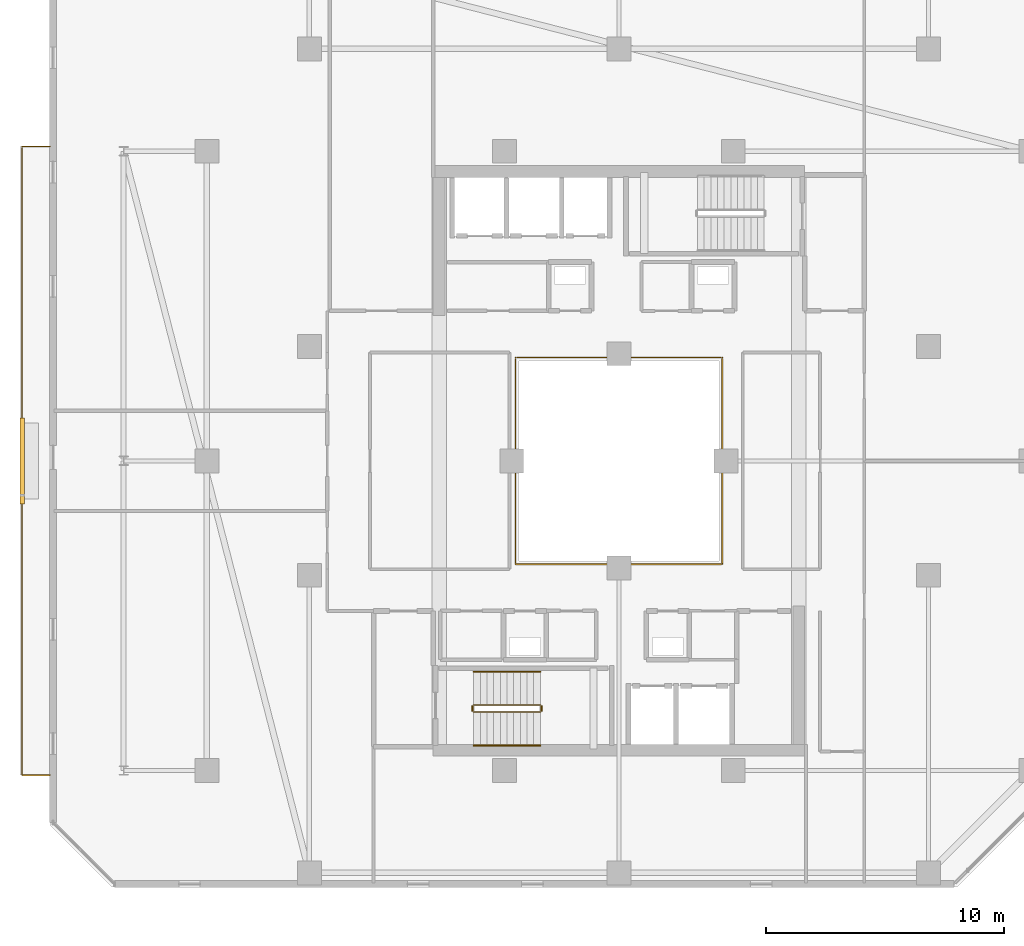
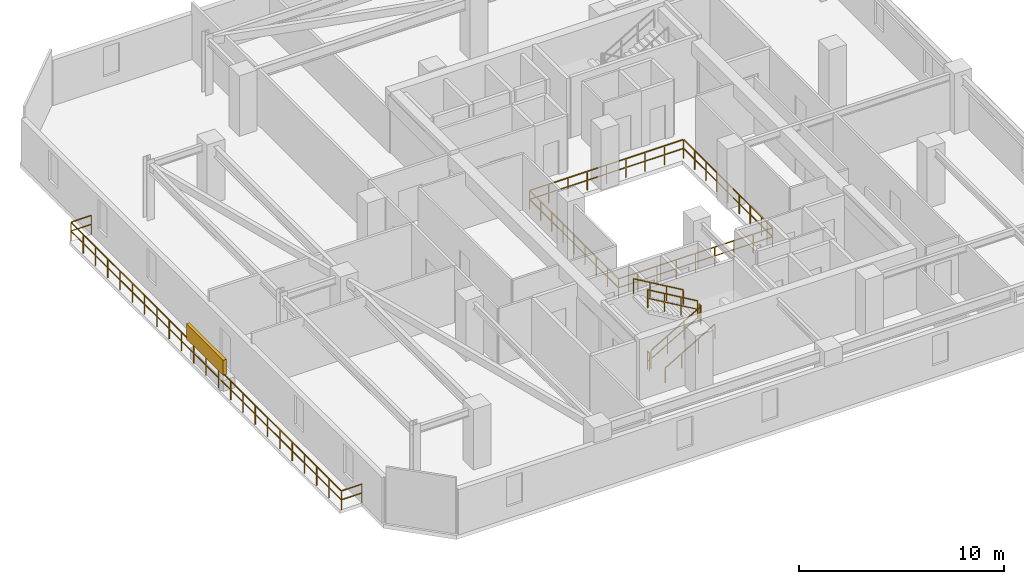
# One storey, part 30 of 33: 8 railings, 1 shading device.
"""IFC4 building model written with IfcOpenShell, lengths in metres."""

import ifcopenshell
import ifcopenshell.guid

model = None  # the IFC model being written
_history = None  # IfcOwnerHistory: only IFC2X3 demands one
_inside = {}  # id of a spatial element -> (the spatial element, [elements in it])
_under = {}  # id of a project, library or spatial element -> (it, [spatial elements below it])
_declared = {}  # id of a project -> (the project, [libraries it declares])
_typed = {}  # id of a type object -> (the type object, [elements of that type])
_made_of = {}  # id of a material, layer set ... -> (it, [elements and type objects made of it])


def new_model(schema):
    """Start an empty IFC model of exactly this schema.

    Asked for "IFC4X3", IfcOpenShell would pick the latest addendum, in which some entities
    have other attributes; the version numbers below select the first issue.
    IFC2X3 requires an IfcOwnerHistory on every rooted entity: one is made here for all.
    """
    global model, _history
    if schema == "IFC4X3":
        model = ifcopenshell.file(schema_version=(4, 3, 0, 0))
    else:
        model = ifcopenshell.file(schema=schema)
    _inside.clear()
    _under.clear()
    _declared.clear()
    _typed.clear()
    _made_of.clear()
    _history = None
    if model.schema == "IFC2X3":
        org = make("IfcOrganization", Name="unknown")
        user = make(
            "IfcPersonAndOrganization",
            ThePerson=make("IfcPerson", FamilyName="unknown"),
            TheOrganization=org,
        )
        app = make(
            "IfcApplication",
            ApplicationDeveloper=org,
            Version="unknown",
            ApplicationFullName="unknown",
            ApplicationIdentifier="unknown",
        )
        _history = make(
            "IfcOwnerHistory",
            OwningUser=user,
            OwningApplication=app,
            ChangeAction="ADDED",
            CreationDate=0,
        )
    return model


def make(cls, **values):
    """One entity of the class cls with the attributes given. An attribute that is None is left unset."""
    return model.create_entity(
        cls, **{name: value for name, value in values.items() if value is not None}
    )


def rooted(cls, **values):
    """An entity with a GlobalId (a new one), such as an element, a storey or a relation."""
    return make(cls, GlobalId=ifcopenshell.guid.new(), OwnerHistory=_history, **values)


def si_unit(unit_type, name, prefix=None):
    """IfcSIUnit, for example si_unit("LENGTHUNIT", "METRE", prefix="MILLI")."""
    return make("IfcSIUnit", UnitType=unit_type, Prefix=prefix, Name=name)


def assignment(units):
    """IfcUnitAssignment: the units of a project."""
    return None if units is None else make("IfcUnitAssignment", Units=units)


def point(xyz):
    """IfcCartesianPoint."""
    return None if xyz is None else make("IfcCartesianPoint", Coordinates=xyz)


def direction(xyz):
    """IfcDirection."""
    return None if xyz is None else make("IfcDirection", DirectionRatios=xyz)


def frame(location, z_axis=None, x_axis=None):
    """IfcAxis2Placement3D, a coordinate frame: its origin and axes. An axis left out is left unset."""
    return make(
        "IfcAxis2Placement3D",
        Location=point(location),
        Axis=direction(z_axis),
        RefDirection=direction(x_axis),
    )


def frame_2d(location, x_axis=None):
    """IfcAxis2Placement2D, a coordinate frame in the plane: its origin and x axis."""
    return make(
        "IfcAxis2Placement2D", Location=point(location), RefDirection=direction(x_axis)
    )


def origin():
    """The frame at (0, 0, 0) with its axes left unset."""
    return frame((0.0, 0.0, 0.0))


def origin_2d():
    """The frame at (0, 0) in the plane with its x axis left unset."""
    return frame_2d((0.0, 0.0))


def place(relative_to, where):
    """IfcLocalPlacement: puts the frame where relative to a parent placement (None: the world)."""
    return make(
        "IfcLocalPlacement", PlacementRelTo=relative_to, RelativePlacement=where
    )


def context(
    kind, dimensions, precision=None, world=None, true_north=None, identifier=None
):
    """IfcGeometricRepresentationContext, for example the 3D "Model" context."""
    return make(
        "IfcGeometricRepresentationContext",
        ContextIdentifier=identifier,
        ContextType=kind,
        CoordinateSpaceDimension=dimensions,
        Precision=precision,
        WorldCoordinateSystem=world,
        TrueNorth=true_north,
    )


def subcontext(parent, identifier, kind, view, scale=None):
    """IfcGeometricRepresentationSubContext, for example "Body" below "Model"."""
    return make(
        "IfcGeometricRepresentationSubContext",
        ContextIdentifier=identifier,
        ContextType=kind,
        ParentContext=parent,
        TargetScale=scale,
        TargetView=view,
    )


def project(units=None, contexts=None):
    """IfcProject with its units and contexts."""
    return rooted(
        "IfcProject",
        Name="project",
        RepresentationContexts=contexts,
        UnitsInContext=assignment(units),
    )


def spatial(cls, under=None, at=None, **own):
    """A site, building, storey or space (cls), placed at a placement, below another one or the project."""
    s = rooted(cls, ObjectPlacement=at, **own)
    if under is not None:
        _under.setdefault(under.id(), (under, []))[1].append(s)
    return s


def profile(cls, at=None, kind="AREA", **sizes):
    """A parametric profile (cls). Its sizes go by their IFC names, for example OverallWidth=200.0."""
    return make(cls, ProfileType=kind, Position=at, **sizes)


def rectangle(**sizes):
    """IfcRectangleProfileDef."""
    return profile("IfcRectangleProfileDef", **sizes)


def extrude(swept, where, along, depth):
    """IfcExtrudedAreaSolid: the profile swept, set in the frame where, extruded along a direction by depth."""
    return make(
        "IfcExtrudedAreaSolid",
        SweptArea=swept,
        Position=where,
        ExtrudedDirection=direction(along),
        Depth=depth,
    )


def shape(context_of_items, identifier, shape_type, items):
    """IfcShapeRepresentation: the items that make up one representation, for example the "Body"."""
    return make(
        "IfcShapeRepresentation",
        ContextOfItems=context_of_items,
        RepresentationIdentifier=identifier,
        RepresentationType=shape_type,
        Items=items,
    )


def material(Name=None, Category=None):
    """IfcMaterial."""
    return make("IfcMaterial", Name=Name, Category=Category)


def made_of(thing, what):
    """Note that an element or type object is made of a material, layer set ...; save() writes the relation."""
    if what is not None:
        _made_of.setdefault(what.id(), (what, []))[1].append(thing)
    return thing


def type_object(cls, material=None, **own):
    """A type object (cls), such as IfcWallType, which elements share."""
    return made_of(rooted(cls, **own), material)


def element(
    cls,
    number,
    at=None,
    inside=None,
    cuts=None,
    type_object=None,
    material=None,
    context=None,
    identifier="Body",
    shape_type=None,
    held_by="IfcProductDefinitionShape",
    body=None,
    shapes=None,
    **own,
):
    """One element of the class cls, such as IfcWall. Its Tag is "e" and its number.

    at: its placement. inside: the storey or other place that contains it. cuts: it is an
    opening in that element (IfcRelVoidsElement). A single representation is given by context,
    identifier, shape_type and body (its items); several are given by shapes. held_by: the class
    of the entity that holds the representations. save() writes the other relations.
    """
    e = rooted(cls, Tag="e%d" % number, ObjectPlacement=at, **own)
    if body is not None:
        shapes = [shape(context, identifier, shape_type, body)]
    if shapes is not None:
        e.Representation = make(held_by, Representations=shapes)
    if inside is not None:
        _inside.setdefault(inside.id(), (inside, []))[1].append(e)
    if cuts is not None:
        rooted(
            "IfcRelVoidsElement", RelatingBuildingElement=cuts, RelatedOpeningElement=e
        )
    if type_object is not None:
        _typed.setdefault(type_object.id(), (type_object, []))[1].append(e)
    return made_of(e, material)


def aggregate(whole, parts):
    """IfcRelAggregates: a whole, such as a stair, and the parts it consists of."""
    return rooted("IfcRelAggregates", RelatingObject=whole, RelatedObjects=parts)


def save(model, path):
    """Write the relations noted so far, then the file.

    IfcRelAggregates (storeys below a building ...), IfcRelContainedInSpatialStructure (elements
    in a storey), IfcRelDefinesByType, IfcRelAssociatesMaterial and IfcRelDeclares: one each for
    every whole, place, type object, material and project.
    """
    for whole, parts in _under.values():
        aggregate(whole, parts)
    for where, things in _inside.values():
        rooted(
            "IfcRelContainedInSpatialStructure",
            RelatedElements=things,
            RelatingStructure=where,
        )
    for kind, things in _typed.values():
        rooted("IfcRelDefinesByType", RelatedObjects=things, RelatingType=kind)
    for what, things in _made_of.values():
        rooted("IfcRelAssociatesMaterial", RelatedObjects=things, RelatingMaterial=what)
    for by, libraries in _declared.values():
        rooted("IfcRelDeclares", RelatingContext=by, RelatedDefinitions=libraries)
    model.write(path)


model = new_model("IFC4")

# Units and contexts
model_context = context("Model", 3, precision=1e-05, world=origin(), true_north=direction((0.0, 1.0)))
body_context = subcontext(model_context, "Body", "Model", "MODEL_VIEW")
ifc_project = project(units=[si_unit("LENGTHUNIT", "METRE"), si_unit("AREAUNIT", "SQUARE_METRE"), si_unit("VOLUMEUNIT", "CUBIC_METRE"), si_unit("PLANEANGLEUNIT", "RADIAN"), si_unit("MASSUNIT", "GRAM", prefix="KILO")], contexts=[model_context])

# Site, building, storey
site_placement = place(None, origin())
site = spatial("IfcSite", under=ifc_project, at=site_placement, CompositionType="ELEMENT")
building_placement = place(site_placement, origin())
building = spatial("IfcBuilding", under=site, at=building_placement, Name="Thornwick Lancets Civic Towers", CompositionType="ELEMENT")
storey_placement = place(building_placement, frame((0.0, 0.0, 207.300048828125)))
storey = spatial("IfcBuildingStorey", under=building, at=storey_placement, Name="L55", CompositionType="ELEMENT", Elevation=207.300048828125)

# Railings
ifc_material_1 = material(Name="Laminated glass and bronze steel S355", Category="steel")
railing_type_1 = type_object("IfcRailingType", Name="RAIL_ATRIUM_GUARD", PredefinedType="BALUSTRADE", material=ifc_material_1)
railing_1_placement = place(storey_placement, frame((21.159912109375, 22.659912109375, 0.0)))
element("IfcRailing", 1, at=railing_1_placement, inside=storey, type_object=railing_type_1, Name="L55 Tower A Central Atrium Guard Balustrade", PredefinedType="BALUSTRADE", context=body_context, shape_type="SweptSolid", body=[
    extrude(rectangle(XDim=0.048095703125, YDim=0.048095703125, at=origin_2d()), frame((0.0, 0.0, 1.1259765625), z_axis=(1.0, 0.0, 0.0), x_axis=(0.0, 1.0, 0.0)), (0.0, 0.0, 1.0), 8.64892578125),
    extrude(rectangle(XDim=0.0419921875, YDim=0.0419921875, at=origin_2d()), frame((0.03759765625, 0.0, 0.597900390625), z_axis=(1.0, 0.0, 0.0), x_axis=(0.0, 1.0, 0.0)), (0.0, 0.0, 1.0), 1.010009765625),
    extrude(rectangle(XDim=0.0419921875, YDim=0.0419921875, at=origin_2d()), frame((1.12255859375, 0.0, 0.597900390625), z_axis=(1.0, 0.0, 0.0), x_axis=(0.0, 1.0, 0.0)), (0.0, 0.0, 1.0), 1.010009765625),
    extrude(rectangle(XDim=0.0419921875, YDim=0.0419921875, at=origin_2d()), frame((2.20751953125, 0.0, 0.597900390625), z_axis=(1.0, 0.0, 0.0), x_axis=(0.0, 1.0, 0.0)), (0.0, 0.0, 1.0), 1.010009765625),
    extrude(rectangle(XDim=0.0419921875, YDim=0.0419921875, at=origin_2d()), frame((3.29248046875, 0.0, 0.597900390625), z_axis=(1.0, 0.0, 0.0), x_axis=(0.0, 1.0, 0.0)), (0.0, 0.0, 1.0), 1.010009765625),
    extrude(rectangle(XDim=0.0419921875, YDim=0.0419921875, at=origin_2d()), frame((4.377685546875, 0.0, 0.597900390625), z_axis=(1.0, 0.0, 0.0), x_axis=(0.0, 1.0, 0.0)), (0.0, 0.0, 1.0), 1.010009765625),
    extrude(rectangle(XDim=0.0419921875, YDim=0.0419921875, at=origin_2d()), frame((5.462646484375, 0.0, 0.597900390625), z_axis=(1.0, 0.0, 0.0), x_axis=(0.0, 1.0, 0.0)), (0.0, 0.0, 1.0), 1.010009765625),
    extrude(rectangle(XDim=0.0419921875, YDim=0.0419921875, at=origin_2d()), frame((6.547607421875, 0.0, 0.597900390625), z_axis=(1.0, 0.0, 0.0), x_axis=(0.0, 1.0, 0.0)), (0.0, 0.0, 1.0), 1.010009765625),
    extrude(rectangle(XDim=0.0419921875, YDim=0.0419921875, at=origin_2d()), frame((7.632568359375, 0.0, 0.597900390625), z_axis=(1.0, 0.0, 0.0), x_axis=(0.0, 1.0, 0.0)), (0.0, 0.0, 1.0), 1.010009765625),
    extrude(rectangle(XDim=0.048095703125, YDim=0.048095703125, at=origin_2d()), frame((8.68017578125, 0.03125, 1.1259765625), z_axis=(0.0, 1.0, 0.0), x_axis=(-1.0, 0.0, 0.0)), (0.0, 0.0, 1.0), 8.61767578125),
    extrude(rectangle(XDim=0.0419921875, YDim=0.0419921875, at=origin_2d()), frame((8.68017578125, 0.03759765625, 0.597900390625), z_axis=(0.0, 1.0, 0.0), x_axis=(-1.0, 0.0, 0.0)), (0.0, 0.0, 1.0), 1.010009765625),
    extrude(rectangle(XDim=0.0419921875, YDim=0.0419921875, at=origin_2d()), frame((8.68017578125, 1.12255859375, 0.597900390625), z_axis=(0.0, 1.0, 0.0), x_axis=(-1.0, 0.0, 0.0)), (0.0, 0.0, 1.0), 1.010009765625),
    extrude(rectangle(XDim=0.0419921875, YDim=0.0419921875, at=origin_2d()), frame((8.68017578125, 2.20751953125, 0.597900390625), z_axis=(0.0, 1.0, 0.0), x_axis=(-1.0, 0.0, 0.0)), (0.0, 0.0, 1.0), 1.010009765625),
    extrude(rectangle(XDim=0.0419921875, YDim=0.0419921875, at=origin_2d()), frame((8.68017578125, 3.29248046875, 0.597900390625), z_axis=(0.0, 1.0, 0.0), x_axis=(-1.0, 0.0, 0.0)), (0.0, 0.0, 1.0), 1.010009765625),
    extrude(rectangle(XDim=0.0419921875, YDim=0.0419921875, at=origin_2d()), frame((8.68017578125, 4.377685546875, 0.597900390625), z_axis=(0.0, 1.0, 0.0), x_axis=(-1.0, 0.0, 0.0)), (0.0, 0.0, 1.0), 1.010009765625),
    extrude(rectangle(XDim=0.0419921875, YDim=0.0419921875, at=origin_2d()), frame((8.68017578125, 5.462646484375, 0.597900390625), z_axis=(0.0, 1.0, 0.0), x_axis=(-1.0, 0.0, 0.0)), (0.0, 0.0, 1.0), 1.010009765625),
    extrude(rectangle(XDim=0.0419921875, YDim=0.0419921875, at=origin_2d()), frame((8.68017578125, 6.547607421875, 0.597900390625), z_axis=(0.0, 1.0, 0.0), x_axis=(-1.0, 0.0, 0.0)), (0.0, 0.0, 1.0), 1.010009765625),
    extrude(rectangle(XDim=0.0419921875, YDim=0.0419921875, at=origin_2d()), frame((8.68017578125, 7.632568359375, 0.597900390625), z_axis=(0.0, 1.0, 0.0), x_axis=(-1.0, 0.0, 0.0)), (0.0, 0.0, 1.0), 1.010009765625),
    extrude(rectangle(XDim=0.048095703125, YDim=0.048095703125, at=origin_2d()), frame((8.64892578125, 8.68017578125, 1.1259765625), z_axis=(-1.0, 0.0, 0.0), x_axis=(0.0, -1.0, 0.0)), (0.0, 0.0, 1.0), 8.61767578125),
    extrude(rectangle(XDim=0.0419921875, YDim=0.0419921875, at=origin_2d()), frame((8.642578125, 8.68017578125, 0.597900390625), z_axis=(-1.0, 0.0, 0.0), x_axis=(0.0, -1.0, 0.0)), (0.0, 0.0, 1.0), 1.010009765625),
    extrude(rectangle(XDim=0.0419921875, YDim=0.0419921875, at=origin_2d()), frame((7.5576171875, 8.68017578125, 0.597900390625), z_axis=(-1.0, 0.0, 0.0), x_axis=(0.0, -1.0, 0.0)), (0.0, 0.0, 1.0), 1.010009765625),
    extrude(rectangle(XDim=0.0419921875, YDim=0.0419921875, at=origin_2d()), frame((6.47265625, 8.68017578125, 0.597900390625), z_axis=(-1.0, 0.0, 0.0), x_axis=(0.0, -1.0, 0.0)), (0.0, 0.0, 1.0), 1.010009765625),
    extrude(rectangle(XDim=0.0419921875, YDim=0.0419921875, at=origin_2d()), frame((5.3876953125, 8.68017578125, 0.597900390625), z_axis=(-1.0, 0.0, 0.0), x_axis=(0.0, -1.0, 0.0)), (0.0, 0.0, 1.0), 1.010009765625),
    extrude(rectangle(XDim=0.0419921875, YDim=0.0419921875, at=origin_2d()), frame((4.302490234375, 8.68017578125, 0.597900390625), z_axis=(-1.0, 0.0, 0.0), x_axis=(0.0, -1.0, 0.0)), (0.0, 0.0, 1.0), 1.010009765625),
    extrude(rectangle(XDim=0.0419921875, YDim=0.0419921875, at=origin_2d()), frame((3.217529296875, 8.68017578125, 0.597900390625), z_axis=(-1.0, 0.0, 0.0), x_axis=(0.0, -1.0, 0.0)), (0.0, 0.0, 1.0), 1.010009765625),
    extrude(rectangle(XDim=0.0419921875, YDim=0.0419921875, at=origin_2d()), frame((2.132568359375, 8.68017578125, 0.597900390625), z_axis=(-1.0, 0.0, 0.0), x_axis=(0.0, -1.0, 0.0)), (0.0, 0.0, 1.0), 1.010009765625),
    extrude(rectangle(XDim=0.0419921875, YDim=0.0419921875, at=origin_2d()), frame((1.047607421875, 8.68017578125, 0.597900390625), z_axis=(-1.0, 0.0, 0.0), x_axis=(0.0, -1.0, 0.0)), (0.0, 0.0, 1.0), 1.010009765625),
    extrude(rectangle(XDim=0.048095703125, YDim=0.048095703125, at=origin_2d()), frame((0.0, 8.64892578125, 1.1259765625), z_axis=(0.0, -1.0, 0.0), x_axis=(1.0, 0.0, 0.0)), (0.0, 0.0, 1.0), 8.64892578125),
    extrude(rectangle(XDim=0.0419921875, YDim=0.0419921875, at=origin_2d()), frame((0.0, 8.642578125, 0.597900390625), z_axis=(0.0, -1.0, 0.0), x_axis=(1.0, 0.0, 0.0)), (0.0, 0.0, 1.0), 1.010009765625),
    extrude(rectangle(XDim=0.0419921875, YDim=0.0419921875, at=origin_2d()), frame((0.0, 7.5576171875, 0.597900390625), z_axis=(0.0, -1.0, 0.0), x_axis=(1.0, 0.0, 0.0)), (0.0, 0.0, 1.0), 1.010009765625),
    extrude(rectangle(XDim=0.0419921875, YDim=0.0419921875, at=origin_2d()), frame((0.0, 6.47265625, 0.597900390625), z_axis=(0.0, -1.0, 0.0), x_axis=(1.0, 0.0, 0.0)), (0.0, 0.0, 1.0), 1.010009765625),
    extrude(rectangle(XDim=0.0419921875, YDim=0.0419921875, at=origin_2d()), frame((0.0, 5.3876953125, 0.597900390625), z_axis=(0.0, -1.0, 0.0), x_axis=(1.0, 0.0, 0.0)), (0.0, 0.0, 1.0), 1.010009765625),
    extrude(rectangle(XDim=0.0419921875, YDim=0.0419921875, at=origin_2d()), frame((0.0, 4.302490234375, 0.597900390625), z_axis=(0.0, -1.0, 0.0), x_axis=(1.0, 0.0, 0.0)), (0.0, 0.0, 1.0), 1.010009765625),
    extrude(rectangle(XDim=0.0419921875, YDim=0.0419921875, at=origin_2d()), frame((0.0, 3.217529296875, 0.597900390625), z_axis=(0.0, -1.0, 0.0), x_axis=(1.0, 0.0, 0.0)), (0.0, 0.0, 1.0), 1.010009765625),
    extrude(rectangle(XDim=0.0419921875, YDim=0.0419921875, at=origin_2d()), frame((0.0, 2.132568359375, 0.597900390625), z_axis=(0.0, -1.0, 0.0), x_axis=(1.0, 0.0, 0.0)), (0.0, 0.0, 1.0), 1.010009765625),
    extrude(rectangle(XDim=0.0419921875, YDim=0.0419921875, at=origin_2d()), frame((0.0, 1.047607421875, 0.597900390625), z_axis=(0.0, -1.0, 0.0), x_axis=(1.0, 0.0, 0.0)), (0.0, 0.0, 1.0), 1.010009765625),
    extrude(rectangle(XDim=0.0419921875, YDim=0.0419921875, at=origin_2d()), origin(), (0.0, 0.0, 1.0), 1.095703125),
    extrude(rectangle(XDim=0.0419921875, YDim=0.0419921875, at=origin_2d()), frame((1.0849609375, 0.0, 0.0)), (0.0, 0.0, 1.0), 1.095703125),
    extrude(rectangle(XDim=0.0419921875, YDim=0.0419921875, at=origin_2d()), frame((2.169921875, 0.0, 0.0)), (0.0, 0.0, 1.0), 1.095703125),
    extrude(rectangle(XDim=0.0419921875, YDim=0.0419921875, at=origin_2d()), frame((3.255126953125, 0.0, 0.0)), (0.0, 0.0, 1.0), 1.095703125),
    extrude(rectangle(XDim=0.0419921875, YDim=0.0419921875, at=origin_2d()), frame((4.340087890625, 0.0, 0.0)), (0.0, 0.0, 1.0), 1.095703125),
    extrude(rectangle(XDim=0.0419921875, YDim=0.0419921875, at=origin_2d()), frame((5.425048828125, 0.0, 0.0)), (0.0, 0.0, 1.0), 1.095703125),
    extrude(rectangle(XDim=0.0419921875, YDim=0.0419921875, at=origin_2d()), frame((6.51025390625, 0.0, 0.0)), (0.0, 0.0, 1.0), 1.095703125),
    extrude(rectangle(XDim=0.0419921875, YDim=0.0419921875, at=origin_2d()), frame((7.59521484375, 0.0, 0.0)), (0.0, 0.0, 1.0), 1.095703125),
    extrude(rectangle(XDim=0.0419921875, YDim=0.0419921875, at=origin_2d()), frame((8.68017578125, 0.0, 0.0)), (0.0, 0.0, 1.0), 1.095703125),
    extrude(rectangle(XDim=0.0419921875, YDim=0.0419921875, at=origin_2d()), frame((8.68017578125, 1.0849609375, 0.0)), (0.0, 0.0, 1.0), 1.095703125),
    extrude(rectangle(XDim=0.0419921875, YDim=0.0419921875, at=origin_2d()), frame((8.68017578125, 2.169921875, 0.0)), (0.0, 0.0, 1.0), 1.095703125),
    extrude(rectangle(XDim=0.0419921875, YDim=0.0419921875, at=origin_2d()), frame((8.68017578125, 3.255126953125, 0.0)), (0.0, 0.0, 1.0), 1.095703125),
    extrude(rectangle(XDim=0.0419921875, YDim=0.0419921875, at=origin_2d()), frame((8.68017578125, 4.340087890625, 0.0)), (0.0, 0.0, 1.0), 1.095703125),
    extrude(rectangle(XDim=0.0419921875, YDim=0.0419921875, at=origin_2d()), frame((8.68017578125, 5.425048828125, 0.0)), (0.0, 0.0, 1.0), 1.095703125),
    extrude(rectangle(XDim=0.0419921875, YDim=0.0419921875, at=origin_2d()), frame((8.68017578125, 6.51025390625, 0.0)), (0.0, 0.0, 1.0), 1.095703125),
    extrude(rectangle(XDim=0.0419921875, YDim=0.0419921875, at=origin_2d()), frame((8.68017578125, 7.59521484375, 0.0)), (0.0, 0.0, 1.0), 1.095703125),
    extrude(rectangle(XDim=0.0419921875, YDim=0.0419921875, at=origin_2d()), frame((8.68017578125, 8.68017578125, 0.0)), (0.0, 0.0, 1.0), 1.095703125),
    extrude(rectangle(XDim=0.0419921875, YDim=0.0419921875, at=origin_2d()), frame((7.59521484375, 8.68017578125, 0.0)), (0.0, 0.0, 1.0), 1.095703125),
    extrude(rectangle(XDim=0.0419921875, YDim=0.0419921875, at=origin_2d()), frame((6.51025390625, 8.68017578125, 0.0)), (0.0, 0.0, 1.0), 1.095703125),
    extrude(rectangle(XDim=0.0419921875, YDim=0.0419921875, at=origin_2d()), frame((5.425048828125, 8.68017578125, 0.0)), (0.0, 0.0, 1.0), 1.095703125),
    extrude(rectangle(XDim=0.0419921875, YDim=0.0419921875, at=origin_2d()), frame((4.340087890625, 8.68017578125, 0.0)), (0.0, 0.0, 1.0), 1.095703125),
    extrude(rectangle(XDim=0.0419921875, YDim=0.0419921875, at=origin_2d()), frame((3.255126953125, 8.68017578125, 0.0)), (0.0, 0.0, 1.0), 1.095703125),
    extrude(rectangle(XDim=0.0419921875, YDim=0.0419921875, at=origin_2d()), frame((2.169921875, 8.68017578125, 0.0)), (0.0, 0.0, 1.0), 1.095703125),
    extrude(rectangle(XDim=0.0419921875, YDim=0.0419921875, at=origin_2d()), frame((1.0849609375, 8.68017578125, 0.0)), (0.0, 0.0, 1.0), 1.095703125),
    extrude(rectangle(XDim=0.0419921875, YDim=0.0419921875, at=origin_2d()), frame((0.0, 8.68017578125, 0.0)), (0.0, 0.0, 1.0), 1.095703125),
    extrude(rectangle(XDim=0.0419921875, YDim=0.0419921875, at=origin_2d()), frame((0.0, 7.59521484375, 0.0)), (0.0, 0.0, 1.0), 1.095703125),
    extrude(rectangle(XDim=0.0419921875, YDim=0.0419921875, at=origin_2d()), frame((0.0, 6.51025390625, 0.0)), (0.0, 0.0, 1.0), 1.095703125),
    extrude(rectangle(XDim=0.0419921875, YDim=0.0419921875, at=origin_2d()), frame((0.0, 5.425048828125, 0.0)), (0.0, 0.0, 1.0), 1.095703125),
    extrude(rectangle(XDim=0.0419921875, YDim=0.0419921875, at=origin_2d()), frame((0.0, 4.340087890625, 0.0)), (0.0, 0.0, 1.0), 1.095703125),
    extrude(rectangle(XDim=0.0419921875, YDim=0.0419921875, at=origin_2d()), frame((0.0, 3.255126953125, 0.0)), (0.0, 0.0, 1.0), 1.095703125),
    extrude(rectangle(XDim=0.0419921875, YDim=0.0419921875, at=origin_2d()), frame((0.0, 2.169921875, 0.0)), (0.0, 0.0, 1.0), 1.095703125),
    extrude(rectangle(XDim=0.0419921875, YDim=0.0419921875, at=origin_2d()), frame((0.0, 1.0849609375, 0.0)), (0.0, 0.0, 1.0), 1.095703125),
])
ifc_material_2 = material(Name="Brushed stainless steel S355", Category="steel")
railing_type_2 = type_object("IfcRailingType", Name="RAIL_HANDRAIL", PredefinedType="HANDRAIL", material=ifc_material_2)
railing_2_placement = place(storey_placement, frame((19.39990234375, 15.050048828125, 0.16357421875)))
element("IfcRailing", 2, at=railing_2_placement, inside=storey, type_object=railing_type_2, Name="L55 ST-A1 stair handrail 1", PredefinedType="HANDRAIL", context=body_context, shape_type="SweptSolid", body=[
    extrude(rectangle(XDim=0.048095703125, YDim=0.048095703125, at=origin_2d()), frame((0.0, 0.0, 0.8857421875), z_axis=(0.863360870873, 0.0, 0.504586966384), x_axis=(0.0, 1.0, 0.0)), (0.0, 0.0, 1.0), 3.2431640625),
    extrude(rectangle(XDim=0.0419921875, YDim=0.0419921875, at=origin_2d()), origin(), (0.0, 0.0, 1.0), 0.855712890625),
    extrude(rectangle(XDim=0.0419921875, YDim=0.0419921875, at=origin_2d()), frame((0.933349609375, 0.0, 0.54541015625)), (0.0, 0.0, 1.0), 0.855712890625),
    extrude(rectangle(XDim=0.0419921875, YDim=0.0419921875, at=origin_2d()), frame((1.86669921875, 0.0, 1.091064453125)), (0.0, 0.0, 1.0), 0.855712890625),
    extrude(rectangle(XDim=0.0419921875, YDim=0.0419921875, at=origin_2d()), frame((2.800048828125, 0.0, 1.636474609375)), (0.0, 0.0, 1.0), 0.855712890625),
])
railing_3_placement = place(storey_placement, frame((22.199951171875, 18.14990234375, 1.963623046875)))
element("IfcRailing", 3, at=railing_3_placement, inside=storey, type_object=railing_type_2, Name="L55 ST-A1 stair handrail 2", PredefinedType="HANDRAIL", context=body_context, shape_type="SweptSolid", body=[
    extrude(rectangle(XDim=0.048095703125, YDim=0.048095703125, at=origin_2d()), frame((0.0, 0.0, 0.8857421875), z_axis=(-0.863393664356, 0.0, 0.504530851732), x_axis=(0.0, -1.0, 0.0)), (0.0, 0.0, 1.0), 3.2431640625),
    extrude(rectangle(XDim=0.0419921875, YDim=0.0419921875, at=origin_2d()), origin(), (0.0, 0.0, 1.0), 0.855712890625),
    extrude(rectangle(XDim=0.0419921875, YDim=0.0419921875, at=origin_2d()), frame((-0.933349609375, 0.0, 0.54541015625)), (0.0, 0.0, 1.0), 0.855712890625),
    extrude(rectangle(XDim=0.0419921875, YDim=0.0419921875, at=origin_2d()), frame((-1.86669921875, 0.0, 1.0908203125)), (0.0, 0.0, 1.0), 0.855712890625),
    extrude(rectangle(XDim=0.0419921875, YDim=0.0419921875, at=origin_2d()), frame((-2.800048828125, 0.0, 1.63623046875)), (0.0, 0.0, 1.0), 0.855712890625),
])
ifc_material_3 = material(Name="Steel S355JR", Category="steel")
railing_type_3 = type_object("IfcRailingType", Name="RAIL_STAIR_GUARD", PredefinedType="GUARDRAIL", material=ifc_material_3)
railing_4_placement = place(storey_placement, frame((19.39990234375, 16.449951171875, 0.16357421875)))
element("IfcRailing", 4, at=railing_4_placement, inside=storey, type_object=railing_type_3, Name="L55 ST-A1 stair guard 1", PredefinedType="GUARDRAIL", context=body_context, shape_type="SweptSolid", body=[
    extrude(rectangle(XDim=0.048095703125, YDim=0.048095703125, at=origin_2d()), frame((0.0, 0.0, 1.076171875), z_axis=(0.863360870873, 0.0, 0.504586966384), x_axis=(0.0, 1.0, 0.0)), (0.0, 0.0, 1.0), 3.2431640625),
    extrude(rectangle(XDim=0.0419921875, YDim=0.0419921875, at=origin_2d()), frame((0.032470703125, 0.0, 0.591064453125), z_axis=(0.863360870873, 0.0, 0.504586966384), x_axis=(0.0, 1.0, 0.0)), (0.0, 0.0, 1.0), 1.006103515625),
    extrude(rectangle(XDim=0.0419921875, YDim=0.0419921875, at=origin_2d()), frame((0.9658203125, 0.0, 1.136474609375), z_axis=(0.863360870873, 0.0, 0.504586966384), x_axis=(0.0, 1.0, 0.0)), (0.0, 0.0, 1.0), 1.006103515625),
    extrude(rectangle(XDim=0.0419921875, YDim=0.0419921875, at=origin_2d()), frame((1.899169921875, 0.0, 1.681884765625), z_axis=(0.863360870873, 0.0, 0.504586966384), x_axis=(0.0, 1.0, 0.0)), (0.0, 0.0, 1.0), 1.006103515625),
    extrude(rectangle(XDim=0.0419921875, YDim=0.0419921875, at=origin_2d()), origin(), (0.0, 0.0, 1.0), 1.0458984375),
    extrude(rectangle(XDim=0.0419921875, YDim=0.0419921875, at=origin_2d()), frame((0.933349609375, 0.0, 0.54541015625)), (0.0, 0.0, 1.0), 1.0458984375),
    extrude(rectangle(XDim=0.0419921875, YDim=0.0419921875, at=origin_2d()), frame((1.86669921875, 0.0, 1.091064453125)), (0.0, 0.0, 1.0), 1.0458984375),
    extrude(rectangle(XDim=0.0419921875, YDim=0.0419921875, at=origin_2d()), frame((2.800048828125, 0.0, 1.636474609375)), (0.0, 0.0, 1.0), 1.0458984375),
])
railing_5_placement = place(storey_placement, frame((22.25, 16.5, 1.800048828125)))
element("IfcRailing", 5, at=railing_5_placement, inside=storey, type_object=railing_type_3, Name="L55 ST-A1 stair guard 2", PredefinedType="GUARDRAIL", context=body_context, shape_type="SweptSolid", body=[
    extrude(rectangle(XDim=0.048095703125, YDim=0.048095703125, at=origin_2d()), frame((0.0, 0.0, 1.076171875), z_axis=(0.0, 1.0, 0.0), x_axis=(-1.0, 0.0, 0.0)), (0.0, 0.0, 1.0), 0.199951171875),
    extrude(rectangle(XDim=0.0419921875, YDim=0.0419921875, at=origin_2d()), frame((0.0, 0.03759765625, 0.572021484375), z_axis=(0.0, 1.0, 0.0), x_axis=(-1.0, 0.0, 0.0)), (0.0, 0.0, 1.0), 0.125),
    extrude(rectangle(XDim=0.0419921875, YDim=0.0419921875, at=origin_2d()), origin(), (0.0, 0.0, 1.0), 1.0458984375),
    extrude(rectangle(XDim=0.0419921875, YDim=0.0419921875, at=origin_2d()), frame((0.0, 0.199951171875, 0.0)), (0.0, 0.0, 1.0), 1.0458984375),
])
railing_6_placement = place(storey_placement, frame((22.199951171875, 16.75, 1.963623046875)))
element("IfcRailing", 6, at=railing_6_placement, inside=storey, type_object=railing_type_3, Name="L55 ST-A1 stair guard 3", PredefinedType="GUARDRAIL", context=body_context, shape_type="SweptSolid", body=[
    extrude(rectangle(XDim=0.048095703125, YDim=0.048095703125, at=origin_2d()), frame((0.0, 0.0, 1.076171875), z_axis=(-0.863393664356, 0.0, 0.504530851732), x_axis=(0.0, -1.0, 0.0)), (0.0, 0.0, 1.0), 3.2431640625),
    extrude(rectangle(XDim=0.0419921875, YDim=0.0419921875, at=origin_2d()), frame((-0.032470703125, 0.0, 0.591064453125), z_axis=(-0.863393664356, 0.0, 0.504530851732), x_axis=(0.0, -1.0, 0.0)), (0.0, 0.0, 1.0), 1.006103515625),
    extrude(rectangle(XDim=0.0419921875, YDim=0.0419921875, at=origin_2d()), frame((-0.9658203125, 0.0, 1.136474609375), z_axis=(-0.863393664356, 0.0, 0.504530851732), x_axis=(0.0, -1.0, 0.0)), (0.0, 0.0, 1.0), 1.006103515625),
    extrude(rectangle(XDim=0.0419921875, YDim=0.0419921875, at=origin_2d()), frame((-1.899169921875, 0.0, 1.681884765625), z_axis=(-0.863393664356, 0.0, 0.504530851732), x_axis=(0.0, -1.0, 0.0)), (0.0, 0.0, 1.0), 1.006103515625),
    extrude(rectangle(XDim=0.0419921875, YDim=0.0419921875, at=origin_2d()), origin(), (0.0, 0.0, 1.0), 1.0458984375),
    extrude(rectangle(XDim=0.0419921875, YDim=0.0419921875, at=origin_2d()), frame((-0.933349609375, 0.0, 0.54541015625)), (0.0, 0.0, 1.0), 1.0458984375),
    extrude(rectangle(XDim=0.0419921875, YDim=0.0419921875, at=origin_2d()), frame((-1.86669921875, 0.0, 1.0908203125)), (0.0, 0.0, 1.0), 1.0458984375),
    extrude(rectangle(XDim=0.0419921875, YDim=0.0419921875, at=origin_2d()), frame((-2.800048828125, 0.0, 1.63623046875)), (0.0, 0.0, 1.0), 1.0458984375),
])
railing_7_placement = place(storey_placement, frame((19.35009765625, 16.5, 0.0)))
element("IfcRailing", 7, at=railing_7_placement, inside=storey, type_object=railing_type_3, Name="L55 ST-A1 stair guard 4", PredefinedType="GUARDRAIL", context=body_context, shape_type="SweptSolid", body=[
    extrude(rectangle(XDim=0.048095703125, YDim=0.048095703125, at=origin_2d()), frame((0.0, 0.0, 1.076171875), z_axis=(0.0, 1.0, 0.0), x_axis=(-1.0, 0.0, 0.0)), (0.0, 0.0, 1.0), 0.199951171875),
    extrude(rectangle(XDim=0.0419921875, YDim=0.0419921875, at=origin_2d()), frame((0.0, 0.03759765625, 0.572021484375), z_axis=(0.0, 1.0, 0.0), x_axis=(-1.0, 0.0, 0.0)), (0.0, 0.0, 1.0), 0.125),
    extrude(rectangle(XDim=0.0419921875, YDim=0.0419921875, at=origin_2d()), origin(), (0.0, 0.0, 1.0), 1.0458984375),
    extrude(rectangle(XDim=0.0419921875, YDim=0.0419921875, at=origin_2d()), frame((0.0, 0.199951171875, 0.0)), (0.0, 0.0, 1.0), 1.0458984375),
])
ifc_material_4 = material(Name="Terracotta-capped laminated glass balustrade S355", Category="masonry")
railing_type_4 = type_object("IfcRailingType", Name="RAIL_TERR_GUARD", PredefinedType="GUARDRAIL", material=ifc_material_4)
railing_8_placement = place(storey_placement, frame((1.60009765625, 13.800048828125, 0.0)))
element("IfcRailing", 8, at=railing_8_placement, inside=storey, type_object=railing_type_4, Name="L55 Tower A Balcony Guard W", PredefinedType="GUARDRAIL", context=body_context, shape_type="SweptSolid", body=[
    extrude(rectangle(XDim=0.048095703125, YDim=0.048095703125, at=origin_2d()), frame((0.0, 0.0, 1.1259765625), z_axis=(-1.0, 0.0, 0.0), x_axis=(0.0, -1.0, 0.0)), (0.0, 0.0, 1.0), 1.138916015625),
    extrude(rectangle(XDim=0.0419921875, YDim=0.0419921875, at=origin_2d()), frame((-0.03759765625, 0.0, 0.597900390625), z_axis=(-1.0, 0.0, 0.0), x_axis=(0.0, -1.0, 0.0)), (0.0, 0.0, 1.0), 1.09521484375),
    extrude(rectangle(XDim=0.048095703125, YDim=0.048095703125, at=origin_2d()), frame((-1.170166015625, 0.03125, 1.1259765625), z_axis=(0.0, 1.0, 0.0), x_axis=(-1.0, 0.0, 0.0)), (0.0, 0.0, 1.0), 26.33740234375),
    extrude(rectangle(XDim=0.0419921875, YDim=0.0419921875, at=origin_2d()), frame((-1.170166015625, 0.03759765625, 0.597900390625), z_axis=(0.0, 1.0, 0.0), x_axis=(-1.0, 0.0, 0.0)), (0.0, 0.0, 1.0), 1.125),
    extrude(rectangle(XDim=0.0419921875, YDim=0.0419921875, at=origin_2d()), frame((-1.170166015625, 1.237548828125, 0.597900390625), z_axis=(0.0, 1.0, 0.0), x_axis=(-1.0, 0.0, 0.0)), (0.0, 0.0, 1.0), 1.125),
    extrude(rectangle(XDim=0.0419921875, YDim=0.0419921875, at=origin_2d()), frame((-1.170166015625, 2.4375, 0.597900390625), z_axis=(0.0, 1.0, 0.0), x_axis=(-1.0, 0.0, 0.0)), (0.0, 0.0, 1.0), 1.125),
    extrude(rectangle(XDim=0.0419921875, YDim=0.0419921875, at=origin_2d()), frame((-1.170166015625, 3.637451171875, 0.597900390625), z_axis=(0.0, 1.0, 0.0), x_axis=(-1.0, 0.0, 0.0)), (0.0, 0.0, 1.0), 1.125),
    extrude(rectangle(XDim=0.0419921875, YDim=0.0419921875, at=origin_2d()), frame((-1.170166015625, 4.83740234375, 0.597900390625), z_axis=(0.0, 1.0, 0.0), x_axis=(-1.0, 0.0, 0.0)), (0.0, 0.0, 1.0), 1.125),
    extrude(rectangle(XDim=0.0419921875, YDim=0.0419921875, at=origin_2d()), frame((-1.170166015625, 6.037353515625, 0.597900390625), z_axis=(0.0, 1.0, 0.0), x_axis=(-1.0, 0.0, 0.0)), (0.0, 0.0, 1.0), 1.125),
    extrude(rectangle(XDim=0.0419921875, YDim=0.0419921875, at=origin_2d()), frame((-1.170166015625, 7.237548828125, 0.597900390625), z_axis=(0.0, 1.0, 0.0), x_axis=(-1.0, 0.0, 0.0)), (0.0, 0.0, 1.0), 1.125),
    extrude(rectangle(XDim=0.0419921875, YDim=0.0419921875, at=origin_2d()), frame((-1.170166015625, 8.4375, 0.597900390625), z_axis=(0.0, 1.0, 0.0), x_axis=(-1.0, 0.0, 0.0)), (0.0, 0.0, 1.0), 1.125),
    extrude(rectangle(XDim=0.0419921875, YDim=0.0419921875, at=origin_2d()), frame((-1.170166015625, 9.637451171875, 0.597900390625), z_axis=(0.0, 1.0, 0.0), x_axis=(-1.0, 0.0, 0.0)), (0.0, 0.0, 1.0), 1.125),
    extrude(rectangle(XDim=0.0419921875, YDim=0.0419921875, at=origin_2d()), frame((-1.170166015625, 10.83740234375, 0.597900390625), z_axis=(0.0, 1.0, 0.0), x_axis=(-1.0, 0.0, 0.0)), (0.0, 0.0, 1.0), 1.125),
    extrude(rectangle(XDim=0.0419921875, YDim=0.0419921875, at=origin_2d()), frame((-1.170166015625, 12.037353515625, 0.597900390625), z_axis=(0.0, 1.0, 0.0), x_axis=(-1.0, 0.0, 0.0)), (0.0, 0.0, 1.0), 1.125),
    extrude(rectangle(XDim=0.0419921875, YDim=0.0419921875, at=origin_2d()), frame((-1.170166015625, 13.237548828125, 0.597900390625), z_axis=(0.0, 1.0, 0.0), x_axis=(-1.0, 0.0, 0.0)), (0.0, 0.0, 1.0), 1.125),
    extrude(rectangle(XDim=0.0419921875, YDim=0.0419921875, at=origin_2d()), frame((-1.170166015625, 14.4375, 0.597900390625), z_axis=(0.0, 1.0, 0.0), x_axis=(-1.0, 0.0, 0.0)), (0.0, 0.0, 1.0), 1.125),
    extrude(rectangle(XDim=0.0419921875, YDim=0.0419921875, at=origin_2d()), frame((-1.170166015625, 15.637451171875, 0.597900390625), z_axis=(0.0, 1.0, 0.0), x_axis=(-1.0, 0.0, 0.0)), (0.0, 0.0, 1.0), 1.125),
    extrude(rectangle(XDim=0.0419921875, YDim=0.0419921875, at=origin_2d()), frame((-1.170166015625, 16.83740234375, 0.597900390625), z_axis=(0.0, 1.0, 0.0), x_axis=(-1.0, 0.0, 0.0)), (0.0, 0.0, 1.0), 1.125),
    extrude(rectangle(XDim=0.0419921875, YDim=0.0419921875, at=origin_2d()), frame((-1.170166015625, 18.037353515625, 0.597900390625), z_axis=(0.0, 1.0, 0.0), x_axis=(-1.0, 0.0, 0.0)), (0.0, 0.0, 1.0), 1.125),
    extrude(rectangle(XDim=0.0419921875, YDim=0.0419921875, at=origin_2d()), frame((-1.170166015625, 19.2373046875, 0.597900390625), z_axis=(0.0, 1.0, 0.0), x_axis=(-1.0, 0.0, 0.0)), (0.0, 0.0, 1.0), 1.125),
    extrude(rectangle(XDim=0.0419921875, YDim=0.0419921875, at=origin_2d()), frame((-1.170166015625, 20.4375, 0.597900390625), z_axis=(0.0, 1.0, 0.0), x_axis=(-1.0, 0.0, 0.0)), (0.0, 0.0, 1.0), 1.125),
    extrude(rectangle(XDim=0.0419921875, YDim=0.0419921875, at=origin_2d()), frame((-1.170166015625, 21.637451171875, 0.597900390625), z_axis=(0.0, 1.0, 0.0), x_axis=(-1.0, 0.0, 0.0)), (0.0, 0.0, 1.0), 1.125),
    extrude(rectangle(XDim=0.0419921875, YDim=0.0419921875, at=origin_2d()), frame((-1.170166015625, 22.83740234375, 0.597900390625), z_axis=(0.0, 1.0, 0.0), x_axis=(-1.0, 0.0, 0.0)), (0.0, 0.0, 1.0), 1.125),
    extrude(rectangle(XDim=0.0419921875, YDim=0.0419921875, at=origin_2d()), frame((-1.170166015625, 24.037353515625, 0.597900390625), z_axis=(0.0, 1.0, 0.0), x_axis=(-1.0, 0.0, 0.0)), (0.0, 0.0, 1.0), 1.125),
    extrude(rectangle(XDim=0.0419921875, YDim=0.0419921875, at=origin_2d()), frame((-1.170166015625, 25.2373046875, 0.597900390625), z_axis=(0.0, 1.0, 0.0), x_axis=(-1.0, 0.0, 0.0)), (0.0, 0.0, 1.0), 1.125),
    extrude(rectangle(XDim=0.048095703125, YDim=0.048095703125, at=origin_2d()), frame((-1.138916015625, 26.39990234375, 1.1259765625), z_axis=(1.0, 0.0, 0.0), x_axis=(0.0, 1.0, 0.0)), (0.0, 0.0, 1.0), 1.138916015625),
    extrude(rectangle(XDim=0.0419921875, YDim=0.0419921875, at=origin_2d()), frame((-1.132568359375, 26.39990234375, 0.597900390625), z_axis=(1.0, 0.0, 0.0), x_axis=(0.0, 1.0, 0.0)), (0.0, 0.0, 1.0), 1.09521484375),
    extrude(rectangle(XDim=0.0419921875, YDim=0.0419921875, at=origin_2d()), origin(), (0.0, 0.0, 1.0), 1.095703125),
    extrude(rectangle(XDim=0.0419921875, YDim=0.0419921875, at=origin_2d()), frame((-1.170166015625, 0.0, 0.0)), (0.0, 0.0, 1.0), 1.095703125),
    extrude(rectangle(XDim=0.0419921875, YDim=0.0419921875, at=origin_2d()), frame((-1.170166015625, 1.199951171875, 0.0)), (0.0, 0.0, 1.0), 1.095703125),
    extrude(rectangle(XDim=0.0419921875, YDim=0.0419921875, at=origin_2d()), frame((-1.170166015625, 2.39990234375, 0.0)), (0.0, 0.0, 1.0), 1.095703125),
    extrude(rectangle(XDim=0.0419921875, YDim=0.0419921875, at=origin_2d()), frame((-1.170166015625, 3.60009765625, 0.0)), (0.0, 0.0, 1.0), 1.095703125),
    extrude(rectangle(XDim=0.0419921875, YDim=0.0419921875, at=origin_2d()), frame((-1.170166015625, 4.800048828125, 0.0)), (0.0, 0.0, 1.0), 1.095703125),
    extrude(rectangle(XDim=0.0419921875, YDim=0.0419921875, at=origin_2d()), frame((-1.170166015625, 6.0, 0.0)), (0.0, 0.0, 1.0), 1.095703125),
    extrude(rectangle(XDim=0.0419921875, YDim=0.0419921875, at=origin_2d()), frame((-1.170166015625, 7.199951171875, 0.0)), (0.0, 0.0, 1.0), 1.095703125),
    extrude(rectangle(XDim=0.0419921875, YDim=0.0419921875, at=origin_2d()), frame((-1.170166015625, 8.39990234375, 0.0)), (0.0, 0.0, 1.0), 1.095703125),
    extrude(rectangle(XDim=0.0419921875, YDim=0.0419921875, at=origin_2d()), frame((-1.170166015625, 9.599853515625, 0.0)), (0.0, 0.0, 1.0), 1.095703125),
    extrude(rectangle(XDim=0.0419921875, YDim=0.0419921875, at=origin_2d()), frame((-1.170166015625, 10.800048828125, 0.0)), (0.0, 0.0, 1.0), 1.095703125),
    extrude(rectangle(XDim=0.0419921875, YDim=0.0419921875, at=origin_2d()), frame((-1.170166015625, 12.0, 0.0)), (0.0, 0.0, 1.0), 1.095703125),
    extrude(rectangle(XDim=0.0419921875, YDim=0.0419921875, at=origin_2d()), frame((-1.170166015625, 13.199951171875, 0.0)), (0.0, 0.0, 1.0), 1.095703125),
    extrude(rectangle(XDim=0.0419921875, YDim=0.0419921875, at=origin_2d()), frame((-1.170166015625, 14.39990234375, 0.0)), (0.0, 0.0, 1.0), 1.095703125),
    extrude(rectangle(XDim=0.0419921875, YDim=0.0419921875, at=origin_2d()), frame((-1.170166015625, 15.599853515625, 0.0)), (0.0, 0.0, 1.0), 1.095703125),
    extrude(rectangle(XDim=0.0419921875, YDim=0.0419921875, at=origin_2d()), frame((-1.170166015625, 16.800048828125, 0.0)), (0.0, 0.0, 1.0), 1.095703125),
    extrude(rectangle(XDim=0.0419921875, YDim=0.0419921875, at=origin_2d()), frame((-1.170166015625, 18.0, 0.0)), (0.0, 0.0, 1.0), 1.095703125),
    extrude(rectangle(XDim=0.0419921875, YDim=0.0419921875, at=origin_2d()), frame((-1.170166015625, 19.199951171875, 0.0)), (0.0, 0.0, 1.0), 1.095703125),
    extrude(rectangle(XDim=0.0419921875, YDim=0.0419921875, at=origin_2d()), frame((-1.170166015625, 20.39990234375, 0.0)), (0.0, 0.0, 1.0), 1.095703125),
    extrude(rectangle(XDim=0.0419921875, YDim=0.0419921875, at=origin_2d()), frame((-1.170166015625, 21.599853515625, 0.0)), (0.0, 0.0, 1.0), 1.095703125),
    extrude(rectangle(XDim=0.0419921875, YDim=0.0419921875, at=origin_2d()), frame((-1.170166015625, 22.7998046875, 0.0)), (0.0, 0.0, 1.0), 1.095703125),
    extrude(rectangle(XDim=0.0419921875, YDim=0.0419921875, at=origin_2d()), frame((-1.170166015625, 24.0, 0.0)), (0.0, 0.0, 1.0), 1.095703125),
    extrude(rectangle(XDim=0.0419921875, YDim=0.0419921875, at=origin_2d()), frame((-1.170166015625, 25.199951171875, 0.0)), (0.0, 0.0, 1.0), 1.095703125),
    extrude(rectangle(XDim=0.0419921875, YDim=0.0419921875, at=origin_2d()), frame((-1.170166015625, 26.39990234375, 0.0)), (0.0, 0.0, 1.0), 1.095703125),
    extrude(rectangle(XDim=0.0419921875, YDim=0.0419921875, at=origin_2d()), frame((0.0, 26.39990234375, 0.0)), (0.0, 0.0, 1.0), 1.095703125),
])

# Shading device
ifc_material_5 = material(Name="Extruded terracotta baguette solar screen", Category="masonry")
shading_device_type = type_object("IfcShadingDeviceType", Name="SHADE_BAGUETTE", PredefinedType="JALOUSIE", material=ifc_material_5)
shading_device_placement = place(storey_placement, frame((0.43994140625, 27.0, 1.1201171875), z_axis=(0.0, 0.0, 1.0), x_axis=(0.0, 1.0, 0.0)))
element("IfcShadingDevice", 9, at=shading_device_placement, inside=storey, type_object=shading_device_type, Name="L55 Tower A Terracotta Baguette Screen W", PredefinedType="JALOUSIE", context=body_context, shape_type="SweptSolid", body=[
    extrude(rectangle(XDim=3.60009765625, YDim=0.179931640625, at=origin_2d()), origin(), (0.0, 0.0, 1.0), 0.89990234375),
])

save(model, "model.ifc")
